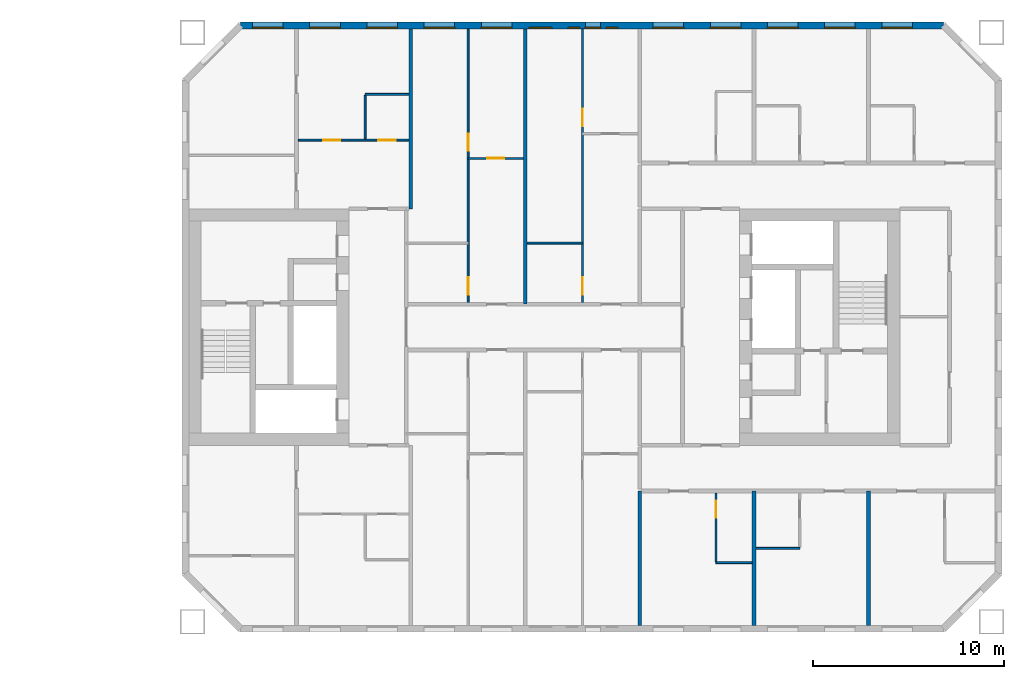
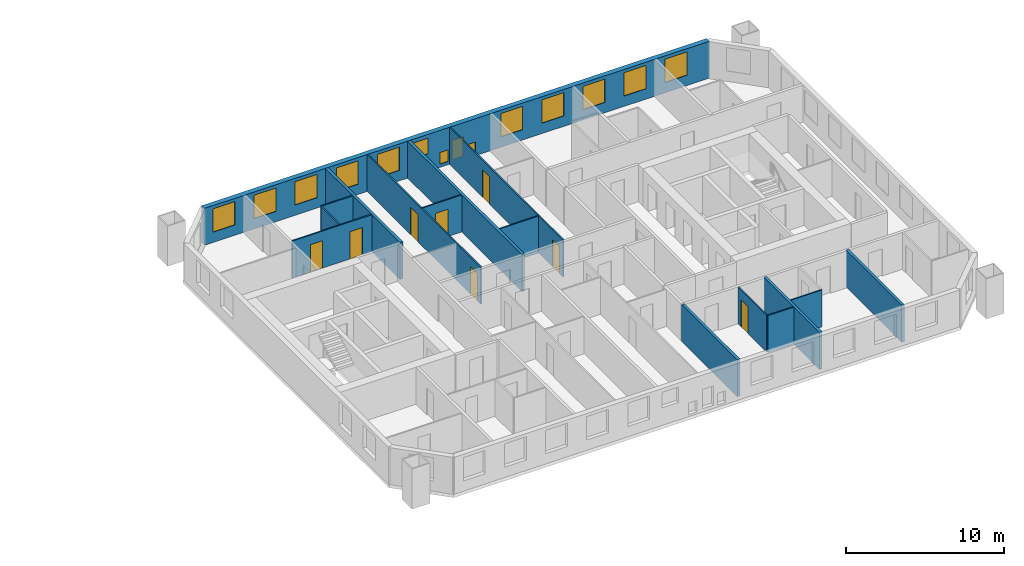
# One storey, part 11 of 16: 16 walls, 14 windows, 8 doors, 22 openings.
"""IFC4 building model written with IfcOpenShell, lengths in metres."""

import ifcopenshell
import ifcopenshell.guid

model = None  # the IFC model being written
_history = None  # IfcOwnerHistory: only IFC2X3 demands one
_inside = {}  # id of a spatial element -> (the spatial element, [elements in it])
_under = {}  # id of a project, library or spatial element -> (it, [spatial elements below it])
_declared = {}  # id of a project -> (the project, [libraries it declares])
_typed = {}  # id of a type object -> (the type object, [elements of that type])
_made_of = {}  # id of a material, layer set ... -> (it, [elements and type objects made of it])


def new_model(schema):
    """Start an empty IFC model of exactly this schema.

    Asked for "IFC4X3", IfcOpenShell would pick the latest addendum, in which some entities
    have other attributes; the version numbers below select the first issue.
    IFC2X3 requires an IfcOwnerHistory on every rooted entity: one is made here for all.
    """
    global model, _history
    if schema == "IFC4X3":
        model = ifcopenshell.file(schema_version=(4, 3, 0, 0))
    else:
        model = ifcopenshell.file(schema=schema)
    _inside.clear()
    _under.clear()
    _declared.clear()
    _typed.clear()
    _made_of.clear()
    _history = None
    if model.schema == "IFC2X3":
        org = make("IfcOrganization", Name="unknown")
        user = make(
            "IfcPersonAndOrganization",
            ThePerson=make("IfcPerson", FamilyName="unknown"),
            TheOrganization=org,
        )
        app = make(
            "IfcApplication",
            ApplicationDeveloper=org,
            Version="unknown",
            ApplicationFullName="unknown",
            ApplicationIdentifier="unknown",
        )
        _history = make(
            "IfcOwnerHistory",
            OwningUser=user,
            OwningApplication=app,
            ChangeAction="ADDED",
            CreationDate=0,
        )
    return model


def make(cls, **values):
    """One entity of the class cls with the attributes given. An attribute that is None is left unset."""
    return model.create_entity(
        cls, **{name: value for name, value in values.items() if value is not None}
    )


def rooted(cls, **values):
    """An entity with a GlobalId (a new one), such as an element, a storey or a relation."""
    return make(cls, GlobalId=ifcopenshell.guid.new(), OwnerHistory=_history, **values)


def si_unit(unit_type, name, prefix=None):
    """IfcSIUnit, for example si_unit("LENGTHUNIT", "METRE", prefix="MILLI")."""
    return make("IfcSIUnit", UnitType=unit_type, Prefix=prefix, Name=name)


def assignment(units):
    """IfcUnitAssignment: the units of a project."""
    return None if units is None else make("IfcUnitAssignment", Units=units)


def point(xyz):
    """IfcCartesianPoint."""
    return None if xyz is None else make("IfcCartesianPoint", Coordinates=xyz)


def direction(xyz):
    """IfcDirection."""
    return None if xyz is None else make("IfcDirection", DirectionRatios=xyz)


def frame(location, z_axis=None, x_axis=None):
    """IfcAxis2Placement3D, a coordinate frame: its origin and axes. An axis left out is left unset."""
    return make(
        "IfcAxis2Placement3D",
        Location=point(location),
        Axis=direction(z_axis),
        RefDirection=direction(x_axis),
    )


def frame_2d(location, x_axis=None):
    """IfcAxis2Placement2D, a coordinate frame in the plane: its origin and x axis."""
    return make(
        "IfcAxis2Placement2D", Location=point(location), RefDirection=direction(x_axis)
    )


def origin():
    """The frame at (0, 0, 0) with its axes left unset."""
    return frame((0.0, 0.0, 0.0))


def place(relative_to, where):
    """IfcLocalPlacement: puts the frame where relative to a parent placement (None: the world)."""
    return make(
        "IfcLocalPlacement", PlacementRelTo=relative_to, RelativePlacement=where
    )


def context(
    kind, dimensions, precision=None, world=None, true_north=None, identifier=None
):
    """IfcGeometricRepresentationContext, for example the 3D "Model" context."""
    return make(
        "IfcGeometricRepresentationContext",
        ContextIdentifier=identifier,
        ContextType=kind,
        CoordinateSpaceDimension=dimensions,
        Precision=precision,
        WorldCoordinateSystem=world,
        TrueNorth=true_north,
    )


def subcontext(parent, identifier, kind, view, scale=None):
    """IfcGeometricRepresentationSubContext, for example "Body" below "Model"."""
    return make(
        "IfcGeometricRepresentationSubContext",
        ContextIdentifier=identifier,
        ContextType=kind,
        ParentContext=parent,
        TargetScale=scale,
        TargetView=view,
    )


def project(units=None, contexts=None):
    """IfcProject with its units and contexts."""
    return rooted(
        "IfcProject",
        Name="project",
        RepresentationContexts=contexts,
        UnitsInContext=assignment(units),
    )


def spatial(cls, under=None, at=None, **own):
    """A site, building, storey or space (cls), placed at a placement, below another one or the project."""
    s = rooted(cls, ObjectPlacement=at, **own)
    if under is not None:
        _under.setdefault(under.id(), (under, []))[1].append(s)
    return s


def profile(cls, at=None, kind="AREA", **sizes):
    """A parametric profile (cls). Its sizes go by their IFC names, for example OverallWidth=200.0."""
    return make(cls, ProfileType=kind, Position=at, **sizes)


def rectangle(**sizes):
    """IfcRectangleProfileDef."""
    return profile("IfcRectangleProfileDef", **sizes)


def extrude(swept, where, along, depth):
    """IfcExtrudedAreaSolid: the profile swept, set in the frame where, extruded along a direction by depth."""
    return make(
        "IfcExtrudedAreaSolid",
        SweptArea=swept,
        Position=where,
        ExtrudedDirection=direction(along),
        Depth=depth,
    )


def shape(context_of_items, identifier, shape_type, items):
    """IfcShapeRepresentation: the items that make up one representation, for example the "Body"."""
    return make(
        "IfcShapeRepresentation",
        ContextOfItems=context_of_items,
        RepresentationIdentifier=identifier,
        RepresentationType=shape_type,
        Items=items,
    )


def material(Name=None, Category=None):
    """IfcMaterial."""
    return make("IfcMaterial", Name=Name, Category=Category)


def layer(
    of_material, thickness, ventilated=None, Name=None, Category=None, Priority=None
):
    """IfcMaterialLayer: one layer of a wall or slab, of a material (None: an air gap)."""
    return make(
        "IfcMaterialLayer",
        Material=of_material,
        LayerThickness=thickness,
        IsVentilated=ventilated,
        Name=Name,
        Category=Category,
        Priority=Priority,
    )


def layer_set(layers, Name=None):
    """IfcMaterialLayerSet."""
    return make("IfcMaterialLayerSet", MaterialLayers=layers, LayerSetName=Name)


def made_of(thing, what):
    """Note that an element or type object is made of a material, layer set ...; save() writes the relation."""
    if what is not None:
        _made_of.setdefault(what.id(), (what, []))[1].append(thing)
    return thing


def type_object(cls, material=None, **own):
    """A type object (cls), such as IfcWallType, which elements share."""
    return made_of(rooted(cls, **own), material)


def element(
    cls,
    number,
    at=None,
    inside=None,
    cuts=None,
    type_object=None,
    material=None,
    context=None,
    identifier="Body",
    shape_type=None,
    held_by="IfcProductDefinitionShape",
    body=None,
    shapes=None,
    **own,
):
    """One element of the class cls, such as IfcWall. Its Tag is "e" and its number.

    at: its placement. inside: the storey or other place that contains it. cuts: it is an
    opening in that element (IfcRelVoidsElement). A single representation is given by context,
    identifier, shape_type and body (its items); several are given by shapes. held_by: the class
    of the entity that holds the representations. save() writes the other relations.
    """
    e = rooted(cls, Tag="e%d" % number, ObjectPlacement=at, **own)
    if body is not None:
        shapes = [shape(context, identifier, shape_type, body)]
    if shapes is not None:
        e.Representation = make(held_by, Representations=shapes)
    if inside is not None:
        _inside.setdefault(inside.id(), (inside, []))[1].append(e)
    if cuts is not None:
        rooted(
            "IfcRelVoidsElement", RelatingBuildingElement=cuts, RelatedOpeningElement=e
        )
    if type_object is not None:
        _typed.setdefault(type_object.id(), (type_object, []))[1].append(e)
    return made_of(e, material)


def fill(opening, filler):
    """IfcRelFillsElement: the door or window that sits in an opening."""
    return rooted(
        "IfcRelFillsElement",
        RelatingOpeningElement=opening,
        RelatedBuildingElement=filler,
    )


def aggregate(whole, parts):
    """IfcRelAggregates: a whole, such as a stair, and the parts it consists of."""
    return rooted("IfcRelAggregates", RelatingObject=whole, RelatedObjects=parts)


def save(model, path):
    """Write the relations noted so far, then the file.

    IfcRelAggregates (storeys below a building ...), IfcRelContainedInSpatialStructure (elements
    in a storey), IfcRelDefinesByType, IfcRelAssociatesMaterial and IfcRelDeclares: one each for
    every whole, place, type object, material and project.
    """
    for whole, parts in _under.values():
        aggregate(whole, parts)
    for where, things in _inside.values():
        rooted(
            "IfcRelContainedInSpatialStructure",
            RelatedElements=things,
            RelatingStructure=where,
        )
    for kind, things in _typed.values():
        rooted("IfcRelDefinesByType", RelatedObjects=things, RelatingType=kind)
    for what, things in _made_of.values():
        rooted("IfcRelAssociatesMaterial", RelatedObjects=things, RelatingMaterial=what)
    for by, libraries in _declared.values():
        rooted("IfcRelDeclares", RelatingContext=by, RelatedDefinitions=libraries)
    model.write(path)


model = new_model("IFC4")

# Units and contexts
model_context = context("Model", 3, precision=1e-05, world=origin(), true_north=direction((0.0, 1.0)))
body_context = subcontext(model_context, "Body", "Model", "MODEL_VIEW")
ifc_project = project(units=[si_unit("LENGTHUNIT", "METRE"), si_unit("AREAUNIT", "SQUARE_METRE"), si_unit("VOLUMEUNIT", "CUBIC_METRE"), si_unit("PLANEANGLEUNIT", "RADIAN"), si_unit("MASSUNIT", "GRAM", prefix="KILO")], contexts=[model_context])

# Site, building, storey
site_placement = place(None, origin())
site = spatial("IfcSite", under=ifc_project, at=site_placement, CompositionType="ELEMENT")
building_placement = place(site_placement, origin())
building = spatial("IfcBuilding", under=site, at=building_placement, Name="Tuart Gate Housing", CompositionType="ELEMENT")
storey_placement = place(building_placement, frame((0.0, 0.0, 111.89990234375)))
storey = spatial("IfcBuildingStorey", under=building, at=storey_placement, Name="L31", CompositionType="ELEMENT", Elevation=111.89990234375)

# Wall, openings, windows
ifc_material_1 = material(Name="Brick", Category="masonry")
ifc_layer_1 = layer(ifc_material_1, 0.360107421875)
ifc_layer_set_1 = layer_set([ifc_layer_1], Name="Brick pier and spandrel wall 360")
wall_type_1 = type_object("IfcWallType", Name="Brick pier and spandrel wall 360", PredefinedType="STANDARD", material=ifc_layer_set_1)
wall_1_placement = place(storey_placement, frame((170.92529296875, 85.820068359375, 0.0), z_axis=(0.0, 0.0, 1.0), x_axis=(-1.0, 0.0, 0.0)))
wall_1 = element("IfcWall", 1, at=wall_1_placement, inside=storey, type_object=wall_type_1, Name="External wall B-N L31", PredefinedType="STANDARD", context=body_context, shape_type="SweptSolid", body=[
    extrude(rectangle(XDim=36.850830078125, YDim=0.360107421875, at=frame_2d((18.42529296875, 0.0))), origin(), (0.0, 0.0, 1.0), 2.85009765625),
])
opening_1_placement = place(wall_1_placement, frame((1.62548828125, 0.0, 0.800048828125)))
opening_1 = element("IfcOpeningElement", 2, at=opening_1_placement, cuts=wall_1, Name="Opening W1", PredefinedType="OPENING", context=body_context, shape_type="SweptSolid", body=[
    extrude(rectangle(XDim=1.60009765625, YDim=1.800048828125, at=frame_2d((0.800048828125, 0.89990234375))), frame((0.0, 0.18994140625, 0.0), z_axis=(0.0, -1.0, 0.0), x_axis=(1.0, 0.0, 0.0)), (0.0, 0.0, 1.0), 0.380126953125),
])
opening_2_placement = place(wall_1_placement, frame((4.62548828125, 0.0, 0.800048828125)))
opening_2 = element("IfcOpeningElement", 3, at=opening_2_placement, cuts=wall_1, Name="Opening W1", PredefinedType="OPENING", context=body_context, shape_type="SweptSolid", body=[
    extrude(rectangle(XDim=1.60009765625, YDim=1.800048828125, at=frame_2d((0.800048828125, 0.89990234375))), frame((0.0, 0.18994140625, 0.0), z_axis=(0.0, -1.0, 0.0), x_axis=(1.0, 0.0, 0.0)), (0.0, 0.0, 1.0), 0.380126953125),
])
opening_3_placement = place(wall_1_placement, frame((7.62548828125, 0.0, 0.800048828125)))
opening_3 = element("IfcOpeningElement", 4, at=opening_3_placement, cuts=wall_1, Name="Opening W1", PredefinedType="OPENING", context=body_context, shape_type="SweptSolid", body=[
    extrude(rectangle(XDim=1.60009765625, YDim=1.800048828125, at=frame_2d((0.800048828125, 0.89990234375))), frame((0.0, 0.18994140625, 0.0), z_axis=(0.0, -1.0, 0.0), x_axis=(1.0, 0.0, 0.0)), (0.0, 0.0, 1.0), 0.380126953125),
])
opening_4_placement = place(wall_1_placement, frame((10.62548828125, 0.0, 0.800048828125)))
opening_4 = element("IfcOpeningElement", 5, at=opening_4_placement, cuts=wall_1, Name="Opening W1", PredefinedType="OPENING", context=body_context, shape_type="SweptSolid", body=[
    extrude(rectangle(XDim=1.60009765625, YDim=1.800048828125, at=frame_2d((0.800048828125, 0.89990234375))), frame((0.0, 0.18994140625, 0.0), z_axis=(0.0, -1.0, 0.0), x_axis=(1.0, 0.0, 0.0)), (0.0, 0.0, 1.0), 0.380126953125),
])
opening_5_placement = place(wall_1_placement, frame((13.62548828125, 0.0, 0.800048828125)))
opening_5 = element("IfcOpeningElement", 6, at=opening_5_placement, cuts=wall_1, Name="Opening W1", PredefinedType="OPENING", context=body_context, shape_type="SweptSolid", body=[
    extrude(rectangle(XDim=1.60009765625, YDim=1.800048828125, at=frame_2d((0.800048828125, 0.89990234375))), frame((0.0, 0.18994140625, 0.0), z_axis=(0.0, -1.0, 0.0), x_axis=(1.0, 0.0, 0.0)), (0.0, 0.0, 1.0), 0.380126953125),
])
opening_6_placement = place(wall_1_placement, frame((17.075439453125, 0.0, 0.14990234375)))
opening_6 = element("IfcOpeningElement", 7, at=opening_6_placement, cuts=wall_1, Name="Opening W1W", PredefinedType="OPENING", context=body_context, shape_type="SweptSolid", body=[
    extrude(rectangle(XDim=0.60009765625, YDim=0.89990234375, at=frame_2d((0.300048828125, 0.449951171875))), frame((0.0, 0.18994140625, 0.0), z_axis=(0.0, -1.0, 0.0), x_axis=(1.0, 0.0, 0.0)), (0.0, 0.0, 1.0), 0.380126953125),
])
opening_7_placement = place(wall_1_placement, frame((19.075439453125, 0.0, 0.25)))
opening_7 = element("IfcOpeningElement", 8, at=opening_7_placement, cuts=wall_1, Name="Opening W1W", PredefinedType="OPENING", context=body_context, shape_type="SweptSolid", body=[
    extrude(rectangle(XDim=0.60009765625, YDim=0.89990234375, at=frame_2d((0.300048828125, 0.449951171875))), frame((0.0, 0.18994140625, 0.0), z_axis=(0.0, -1.0, 0.0), x_axis=(1.0, 0.0, 0.0)), (0.0, 0.0, 1.0), 0.380126953125),
])
opening_8_placement = place(wall_1_placement, frame((22.62548828125, 0.0, 0.800048828125)))
opening_8 = element("IfcOpeningElement", 9, at=opening_8_placement, cuts=wall_1, Name="Opening W1", PredefinedType="OPENING", context=body_context, shape_type="SweptSolid", body=[
    extrude(rectangle(XDim=1.60009765625, YDim=1.800048828125, at=frame_2d((0.800048828125, 0.89990234375))), frame((0.0, 0.18994140625, 0.0), z_axis=(0.0, -1.0, 0.0), x_axis=(1.0, 0.0, 0.0)), (0.0, 0.0, 1.0), 0.380126953125),
])
opening_9_placement = place(wall_1_placement, frame((25.62548828125, 0.0, 0.800048828125)))
opening_9 = element("IfcOpeningElement", 10, at=opening_9_placement, cuts=wall_1, Name="Opening W1", PredefinedType="OPENING", context=body_context, shape_type="SweptSolid", body=[
    extrude(rectangle(XDim=1.60009765625, YDim=1.800048828125, at=frame_2d((0.800048828125, 0.89990234375))), frame((0.0, 0.18994140625, 0.0), z_axis=(0.0, -1.0, 0.0), x_axis=(1.0, 0.0, 0.0)), (0.0, 0.0, 1.0), 0.380126953125),
])
opening_10_placement = place(wall_1_placement, frame((28.62548828125, 0.0, 0.800048828125)))
opening_10 = element("IfcOpeningElement", 11, at=opening_10_placement, cuts=wall_1, Name="Opening W1", PredefinedType="OPENING", context=body_context, shape_type="SweptSolid", body=[
    extrude(rectangle(XDim=1.60009765625, YDim=1.800048828125, at=frame_2d((0.800048828125, 0.89990234375))), frame((0.0, 0.18994140625, 0.0), z_axis=(0.0, -1.0, 0.0), x_axis=(1.0, 0.0, 0.0)), (0.0, 0.0, 1.0), 0.380126953125),
])
opening_11_placement = place(wall_1_placement, frame((31.62548828125, 0.0, 0.800048828125)))
opening_11 = element("IfcOpeningElement", 12, at=opening_11_placement, cuts=wall_1, Name="Opening W1", PredefinedType="OPENING", context=body_context, shape_type="SweptSolid", body=[
    extrude(rectangle(XDim=1.60009765625, YDim=1.800048828125, at=frame_2d((0.800048828125, 0.89990234375))), frame((0.0, 0.18994140625, 0.0), z_axis=(0.0, -1.0, 0.0), x_axis=(1.0, 0.0, 0.0)), (0.0, 0.0, 1.0), 0.380126953125),
])
opening_12_placement = place(wall_1_placement, frame((34.62548828125, 0.0, 0.800048828125)))
opening_12 = element("IfcOpeningElement", 13, at=opening_12_placement, cuts=wall_1, Name="Opening W1", PredefinedType="OPENING", context=body_context, shape_type="SweptSolid", body=[
    extrude(rectangle(XDim=1.60009765625, YDim=1.800048828125, at=frame_2d((0.800048828125, 0.89990234375))), frame((0.0, 0.18994140625, 0.0), z_axis=(0.0, -1.0, 0.0), x_axis=(1.0, 0.0, 0.0)), (0.0, 0.0, 1.0), 0.380126953125),
])
opening_13_placement = place(wall_1_placement, frame((17.975341796875, 0.0, 0.25)))
opening_13 = element("IfcOpeningElement", 14, at=opening_13_placement, cuts=wall_1, Name="Opening W1J", PredefinedType="OPENING", context=body_context, shape_type="SweptSolid", body=[
    extrude(rectangle(XDim=0.800048828125, YDim=1.5, at=frame_2d((0.39990234375, 0.75))), frame((0.0, 0.18994140625, 0.0), z_axis=(0.0, -1.0, 0.0), x_axis=(1.0, 0.0, 0.0)), (0.0, 0.0, 1.0), 0.380126953125),
])
opening_14_placement = place(wall_1_placement, frame((20.525390625, 0.0, 1.35009765625)))
opening_14 = element("IfcOpeningElement", 15, at=opening_14_placement, cuts=wall_1, Name="Opening W1N", PredefinedType="OPENING", context=body_context, shape_type="SweptSolid", body=[
    extrude(rectangle(XDim=1.199951171875, YDim=1.199951171875, at=frame_2d((0.60009765625, 0.60009765625))), frame((0.0, 0.18994140625, 0.0), z_axis=(0.0, -1.0, 0.0), x_axis=(1.0, 0.0, 0.0)), (0.0, 0.0, 1.0), 0.380126953125),
])
ifc_material_2 = material(Name="Aluminium frame with clear glass", Category="aluminium")
window_type_1 = type_object("IfcWindowType", Name="Punched window 1200 x 1200", PartitioningType="SINGLE_PANEL", PredefinedType="WINDOW", material=ifc_material_2)
window_1_placement = place(opening_14_placement, origin())
window_1 = element("IfcWindow", 16, at=window_1_placement, inside=storey, type_object=window_type_1, Name="Window W1N", OverallHeight=1.199951171875, OverallWidth=1.199951171875, PartitioningType="SINGLE_PANEL", PredefinedType="WINDOW", context=body_context, shape_type="SweptSolid", body=[
    extrude(rectangle(XDim=1.199951171875, YDim=1.199951171875, at=frame_2d((0.60009765625, 0.60009765625))), frame((0.0, 0.150146484375, 0.0), z_axis=(0.0, -1.0, 0.0), x_axis=(1.0, 0.0, 0.0)), (0.0, 0.0, 1.0), 0.06005859375),
])
fill(opening_14, window_1)
ifc_material_3 = material(Name="Aluminium frame with clear glass", Category="aluminium")
window_type_2 = type_object("IfcWindowType", Name="Punched window 1600 x 1800", PartitioningType="SINGLE_PANEL", PredefinedType="WINDOW", material=ifc_material_3)
window_2_placement = place(opening_1_placement, origin())
window_2 = element("IfcWindow", 17, at=window_2_placement, inside=storey, type_object=window_type_2, Name="Window W1", OverallHeight=1.800048828125, OverallWidth=1.60009765625, PartitioningType="SINGLE_PANEL", PredefinedType="WINDOW", context=body_context, shape_type="SweptSolid", body=[
    extrude(rectangle(XDim=1.60009765625, YDim=1.800048828125, at=frame_2d((0.800048828125, 0.89990234375))), frame((0.0, 0.150146484375, 0.0), z_axis=(0.0, -1.0, 0.0), x_axis=(1.0, 0.0, 0.0)), (0.0, 0.0, 1.0), 0.06005859375),
])
fill(opening_1, window_2)
window_3_placement = place(opening_2_placement, origin())
window_3 = element("IfcWindow", 18, at=window_3_placement, inside=storey, type_object=window_type_2, Name="Window W1", OverallHeight=1.800048828125, OverallWidth=1.60009765625, PartitioningType="SINGLE_PANEL", PredefinedType="WINDOW", context=body_context, shape_type="SweptSolid", body=[
    extrude(rectangle(XDim=1.60009765625, YDim=1.800048828125, at=frame_2d((0.800048828125, 0.89990234375))), frame((0.0, 0.150146484375, 0.0), z_axis=(0.0, -1.0, 0.0), x_axis=(1.0, 0.0, 0.0)), (0.0, 0.0, 1.0), 0.06005859375),
])
fill(opening_2, window_3)
window_4_placement = place(opening_3_placement, origin())
window_4 = element("IfcWindow", 19, at=window_4_placement, inside=storey, type_object=window_type_2, Name="Window W1", OverallHeight=1.800048828125, OverallWidth=1.60009765625, PartitioningType="SINGLE_PANEL", PredefinedType="WINDOW", context=body_context, shape_type="SweptSolid", body=[
    extrude(rectangle(XDim=1.60009765625, YDim=1.800048828125, at=frame_2d((0.800048828125, 0.89990234375))), frame((0.0, 0.150146484375, 0.0), z_axis=(0.0, -1.0, 0.0), x_axis=(1.0, 0.0, 0.0)), (0.0, 0.0, 1.0), 0.06005859375),
])
fill(opening_3, window_4)
window_5_placement = place(opening_4_placement, origin())
window_5 = element("IfcWindow", 20, at=window_5_placement, inside=storey, type_object=window_type_2, Name="Window W1", OverallHeight=1.800048828125, OverallWidth=1.60009765625, PartitioningType="SINGLE_PANEL", PredefinedType="WINDOW", context=body_context, shape_type="SweptSolid", body=[
    extrude(rectangle(XDim=1.60009765625, YDim=1.800048828125, at=frame_2d((0.800048828125, 0.89990234375))), frame((0.0, 0.150146484375, 0.0), z_axis=(0.0, -1.0, 0.0), x_axis=(1.0, 0.0, 0.0)), (0.0, 0.0, 1.0), 0.06005859375),
])
fill(opening_4, window_5)
window_6_placement = place(opening_5_placement, origin())
window_6 = element("IfcWindow", 21, at=window_6_placement, inside=storey, type_object=window_type_2, Name="Window W1", OverallHeight=1.800048828125, OverallWidth=1.60009765625, PartitioningType="SINGLE_PANEL", PredefinedType="WINDOW", context=body_context, shape_type="SweptSolid", body=[
    extrude(rectangle(XDim=1.60009765625, YDim=1.800048828125, at=frame_2d((0.800048828125, 0.89990234375))), frame((0.0, 0.150146484375, 0.0), z_axis=(0.0, -1.0, 0.0), x_axis=(1.0, 0.0, 0.0)), (0.0, 0.0, 1.0), 0.06005859375),
])
fill(opening_5, window_6)
window_7_placement = place(opening_8_placement, origin())
window_7 = element("IfcWindow", 22, at=window_7_placement, inside=storey, type_object=window_type_2, Name="Window W1", OverallHeight=1.800048828125, OverallWidth=1.60009765625, PartitioningType="SINGLE_PANEL", PredefinedType="WINDOW", context=body_context, shape_type="SweptSolid", body=[
    extrude(rectangle(XDim=1.60009765625, YDim=1.800048828125, at=frame_2d((0.800048828125, 0.89990234375))), frame((0.0, 0.150146484375, 0.0), z_axis=(0.0, -1.0, 0.0), x_axis=(1.0, 0.0, 0.0)), (0.0, 0.0, 1.0), 0.06005859375),
])
fill(opening_8, window_7)
window_8_placement = place(opening_9_placement, origin())
window_8 = element("IfcWindow", 23, at=window_8_placement, inside=storey, type_object=window_type_2, Name="Window W1", OverallHeight=1.800048828125, OverallWidth=1.60009765625, PartitioningType="SINGLE_PANEL", PredefinedType="WINDOW", context=body_context, shape_type="SweptSolid", body=[
    extrude(rectangle(XDim=1.60009765625, YDim=1.800048828125, at=frame_2d((0.800048828125, 0.89990234375))), frame((0.0, 0.150146484375, 0.0), z_axis=(0.0, -1.0, 0.0), x_axis=(1.0, 0.0, 0.0)), (0.0, 0.0, 1.0), 0.06005859375),
])
fill(opening_9, window_8)
window_9_placement = place(opening_10_placement, origin())
window_9 = element("IfcWindow", 24, at=window_9_placement, inside=storey, type_object=window_type_2, Name="Window W1", OverallHeight=1.800048828125, OverallWidth=1.60009765625, PartitioningType="SINGLE_PANEL", PredefinedType="WINDOW", context=body_context, shape_type="SweptSolid", body=[
    extrude(rectangle(XDim=1.60009765625, YDim=1.800048828125, at=frame_2d((0.800048828125, 0.89990234375))), frame((0.0, 0.150146484375, 0.0), z_axis=(0.0, -1.0, 0.0), x_axis=(1.0, 0.0, 0.0)), (0.0, 0.0, 1.0), 0.06005859375),
])
fill(opening_10, window_9)
window_10_placement = place(opening_11_placement, origin())
window_10 = element("IfcWindow", 25, at=window_10_placement, inside=storey, type_object=window_type_2, Name="Window W1", OverallHeight=1.800048828125, OverallWidth=1.60009765625, PartitioningType="SINGLE_PANEL", PredefinedType="WINDOW", context=body_context, shape_type="SweptSolid", body=[
    extrude(rectangle(XDim=1.60009765625, YDim=1.800048828125, at=frame_2d((0.800048828125, 0.89990234375))), frame((0.0, 0.150146484375, 0.0), z_axis=(0.0, -1.0, 0.0), x_axis=(1.0, 0.0, 0.0)), (0.0, 0.0, 1.0), 0.06005859375),
])
fill(opening_11, window_10)
window_11_placement = place(opening_12_placement, origin())
window_11 = element("IfcWindow", 26, at=window_11_placement, inside=storey, type_object=window_type_2, Name="Window W1", OverallHeight=1.800048828125, OverallWidth=1.60009765625, PartitioningType="SINGLE_PANEL", PredefinedType="WINDOW", context=body_context, shape_type="SweptSolid", body=[
    extrude(rectangle(XDim=1.60009765625, YDim=1.800048828125, at=frame_2d((0.800048828125, 0.89990234375))), frame((0.0, 0.150146484375, 0.0), z_axis=(0.0, -1.0, 0.0), x_axis=(1.0, 0.0, 0.0)), (0.0, 0.0, 1.0), 0.06005859375),
])
fill(opening_12, window_11)
ifc_material_4 = material(Name="Aluminium frame with clear glass", Category="aluminium")
window_type_3 = type_object("IfcWindowType", Name="Punched window 600 x 900", PartitioningType="SINGLE_PANEL", PredefinedType="WINDOW", material=ifc_material_4)
window_12_placement = place(opening_6_placement, origin())
window_12 = element("IfcWindow", 27, at=window_12_placement, inside=storey, type_object=window_type_3, Name="Window W1W", OverallHeight=0.89990234375, OverallWidth=0.60009765625, PartitioningType="SINGLE_PANEL", PredefinedType="WINDOW", context=body_context, shape_type="SweptSolid", body=[
    extrude(rectangle(XDim=0.60009765625, YDim=0.89990234375, at=frame_2d((0.300048828125, 0.449951171875))), frame((0.0, 0.150146484375, 0.0), z_axis=(0.0, -1.0, 0.0), x_axis=(1.0, 0.0, 0.0)), (0.0, 0.0, 1.0), 0.06005859375),
])
fill(opening_6, window_12)
window_13_placement = place(opening_7_placement, origin())
window_13 = element("IfcWindow", 28, at=window_13_placement, inside=storey, type_object=window_type_3, Name="Window W1W", OverallHeight=0.89990234375, OverallWidth=0.60009765625, PartitioningType="SINGLE_PANEL", PredefinedType="WINDOW", context=body_context, shape_type="SweptSolid", body=[
    extrude(rectangle(XDim=0.60009765625, YDim=0.89990234375, at=frame_2d((0.300048828125, 0.449951171875))), frame((0.0, 0.150146484375, 0.0), z_axis=(0.0, -1.0, 0.0), x_axis=(1.0, 0.0, 0.0)), (0.0, 0.0, 1.0), 0.06005859375),
])
fill(opening_7, window_13)
ifc_material_5 = material(Name="Aluminium frame with clear glass", Category="aluminium")
window_type_4 = type_object("IfcWindowType", Name="Punched window 800 x 1500", PartitioningType="SINGLE_PANEL", PredefinedType="WINDOW", material=ifc_material_5)
window_14_placement = place(opening_13_placement, origin())
window_14 = element("IfcWindow", 29, at=window_14_placement, inside=storey, type_object=window_type_4, Name="Window W1J", OverallHeight=1.5, OverallWidth=0.800048828125, PartitioningType="SINGLE_PANEL", PredefinedType="WINDOW", context=body_context, shape_type="SweptSolid", body=[
    extrude(rectangle(XDim=0.800048828125, YDim=1.5, at=frame_2d((0.39990234375, 0.75))), frame((0.0, 0.150146484375, 0.0), z_axis=(0.0, -1.0, 0.0), x_axis=(1.0, 0.0, 0.0)), (0.0, 0.0, 1.0), 0.06005859375),
])
fill(opening_13, window_14)

# Walls
ifc_material_6 = material(Name="Gypsum board on steel studs", Category="steel")
ifc_layer_2 = layer(ifc_material_6, 0.10009765625)
ifc_layer_set_2 = layer_set([ifc_layer_2], Name="Partition 100")
wall_type_2 = type_object("IfcWallType", Name="Partition 100", PredefinedType="PARTITIONING", material=ifc_layer_set_2)
wall_2_placement = place(storey_placement, frame((159.0, 57.64990234375, 0.0), z_axis=(0.0, 0.0, 1.0), x_axis=(1.0, 0.0, 0.0)))
element("IfcWall", 30, at=wall_2_placement, inside=storey, type_object=wall_type_2, Name="Partition 100", PredefinedType="PARTITIONING", context=body_context, shape_type="SweptSolid", body=[
    extrude(rectangle(XDim=1.89990234375, YDim=0.10009765625, at=frame_2d((0.949951171875, 0.0))), origin(), (0.0, 0.0, 1.0), 2.85009765625),
])
wall_3_placement = place(storey_placement, frame((161.10009765625, 58.39990234375, 0.0), z_axis=(0.0, 0.0, 1.0), x_axis=(1.0, 0.0, 0.0)))
element("IfcWall", 31, at=wall_3_placement, inside=storey, type_object=wall_type_2, Name="Partition 100", PredefinedType="PARTITIONING", context=body_context, shape_type="SweptSolid", body=[
    extrude(rectangle(XDim=2.2998046875, YDim=0.10009765625, at=frame_2d((1.14990234375, 0.0))), origin(), (0.0, 0.0, 1.0), 2.85009765625),
])
wall_4_placement = place(storey_placement, frame((149.10009765625, 74.39990234375, 0.0), z_axis=(0.0, 0.0, 1.0), x_axis=(1.0, 0.0, 0.0)))
element("IfcWall", 32, at=wall_4_placement, inside=storey, type_object=wall_type_2, Name="Partition 100", PredefinedType="PARTITIONING", context=body_context, shape_type="SweptSolid", body=[
    extrude(rectangle(XDim=2.89990234375, YDim=0.10009765625, at=frame_2d((1.449951171875, 0.0))), origin(), (0.0, 0.0, 1.0), 2.85009765625),
])

# Wall, opening, door
wall_5_placement = place(storey_placement, frame((146.0, 78.840087890625, 0.0), z_axis=(0.0, 0.0, 1.0), x_axis=(1.0, 0.0, 0.0)))
wall_5 = element("IfcWall", 33, at=wall_5_placement, inside=storey, type_object=wall_type_2, Name="Partition 100", PredefinedType="PARTITIONING", context=body_context, shape_type="SweptSolid", body=[
    extrude(rectangle(XDim=2.89990234375, YDim=0.10009765625, at=frame_2d((1.449951171875, 0.0))), origin(), (0.0, 0.0, 1.0), 2.85009765625),
])
opening_15_placement = place(wall_5_placement, frame((1.0, 0.0, 0.0)))
opening_15 = element("IfcOpeningElement", 34, at=opening_15_placement, cuts=wall_5, Name="Opening D1245", PredefinedType="OPENING", context=body_context, shape_type="SweptSolid", body=[
    extrude(rectangle(XDim=0.89990234375, YDim=2.10009765625, at=frame_2d((0.449951171875, 1.050048828125))), frame((0.0, 0.06005859375, 0.0), z_axis=(0.0, -1.0, 0.0), x_axis=(1.0, 0.0, 0.0)), (0.0, 0.0, 1.0), 0.1201171875),
])
ifc_material_7 = material(Name="Timber door leaf in steel frame", Category="steel")
door_type_1 = type_object("IfcDoorType", Name="Internal door 900 RH", OperationType="SINGLE_SWING_RIGHT", PredefinedType="DOOR", material=ifc_material_7)
door_1_placement = place(opening_15_placement, frame((0.89990234375, 0.0, 0.0), z_axis=(0.0, 0.0, 1.0), x_axis=(-1.0, 0.0, 0.0)))
door_1 = element("IfcDoor", 35, at=door_1_placement, inside=storey, type_object=door_type_1, Name="Internal door", OperationType="SINGLE_SWING_RIGHT", OverallHeight=2.10009765625, OverallWidth=0.89990234375, PredefinedType="DOOR", context=body_context, shape_type="SweptSolid", body=[
    extrude(rectangle(XDim=0.89990234375, YDim=2.10009765625, at=frame_2d((0.449951171875, 1.050048828125))), frame((0.0, 0.025146484375, 0.0), z_axis=(0.0, -1.0, 0.0), x_axis=(1.0, 0.0, 0.0)), (0.0, 0.0, 1.0), 0.050048828125),
])
fill(opening_15, door_1)

# Wall, openings, doors
wall_6_placement = place(storey_placement, frame((137.10009765625, 79.800048828125, 0.0), z_axis=(0.0, 0.0, 1.0), x_axis=(1.0, 0.0, 0.0)))
wall_6 = element("IfcWall", 36, at=wall_6_placement, inside=storey, type_object=wall_type_2, Name="Partition 100", PredefinedType="PARTITIONING", context=body_context, shape_type="SweptSolid", body=[
    extrude(rectangle(XDim=5.7998046875, YDim=0.10009765625, at=frame_2d((2.89990234375, 0.0))), origin(), (0.0, 0.0, 1.0), 2.85009765625),
])
opening_16_placement = place(wall_6_placement, frame((1.300048828125, 0.0, 0.0)))
opening_16 = element("IfcOpeningElement", 37, at=opening_16_placement, cuts=wall_6, Name="Opening D1244", PredefinedType="OPENING", context=body_context, shape_type="SweptSolid", body=[
    extrude(rectangle(XDim=0.89990234375, YDim=2.10009765625, at=frame_2d((0.449951171875, 1.050048828125))), frame((0.0, 0.06005859375, 0.0), z_axis=(0.0, -1.0, 0.0), x_axis=(1.0, 0.0, 0.0)), (0.0, 0.0, 1.0), 0.1201171875),
])
opening_17_placement = place(wall_6_placement, frame((4.199951171875, 0.0, 0.0)))
opening_17 = element("IfcOpeningElement", 38, at=opening_17_placement, cuts=wall_6, Name="Opening D1243", PredefinedType="OPENING", context=body_context, shape_type="SweptSolid", body=[
    extrude(rectangle(XDim=0.89990234375, YDim=2.10009765625, at=frame_2d((0.449951171875, 1.050048828125))), frame((0.0, 0.06005859375, 0.0), z_axis=(0.0, -1.0, 0.0), x_axis=(1.0, 0.0, 0.0)), (0.0, 0.0, 1.0), 0.1201171875),
])
ifc_material_8 = material(Name="Timber door leaf in steel frame", Category="steel")
door_type_2 = type_object("IfcDoorType", Name="Bathroom door 900", OperationType="SINGLE_SWING_LEFT", PredefinedType="DOOR", material=ifc_material_8)
door_2_placement = place(opening_17_placement, origin())
door_2 = element("IfcDoor", 39, at=door_2_placement, inside=storey, type_object=door_type_2, Name="Bathroom door", OperationType="SINGLE_SWING_LEFT", OverallHeight=2.10009765625, OverallWidth=0.89990234375, PredefinedType="DOOR", context=body_context, shape_type="SweptSolid", body=[
    extrude(rectangle(XDim=0.89990234375, YDim=2.10009765625, at=frame_2d((0.449951171875, 1.050048828125))), frame((0.0, 0.02490234375, 0.0), z_axis=(0.0, -1.0, 0.0), x_axis=(1.0, 0.0, 0.0)), (0.0, 0.0, 1.0), 0.050048828125),
])
fill(opening_17, door_2)
door_3_placement = place(opening_16_placement, frame((0.89990234375, 0.0, 0.0), z_axis=(0.0, 0.0, 1.0), x_axis=(-1.0, 0.0, 0.0)))
door_3 = element("IfcDoor", 40, at=door_3_placement, inside=storey, type_object=door_type_1, Name="Internal door", OperationType="SINGLE_SWING_RIGHT", OverallHeight=2.10009765625, OverallWidth=0.89990234375, PredefinedType="DOOR", context=body_context, shape_type="SweptSolid", body=[
    extrude(rectangle(XDim=0.89990234375, YDim=2.10009765625, at=frame_2d((0.449951171875, 1.050048828125))), frame((0.0, 0.025146484375, 0.0), z_axis=(0.0, -1.0, 0.0), x_axis=(1.0, 0.0, 0.0)), (0.0, 0.0, 1.0), 0.050048828125),
])
fill(opening_16, door_3)

# Walls
for number, where, z_axis, x_axis, name in (
    (41, (140.60009765625, 82.199951171875, 0.0), (0.0, 0.0, 1.0), (1.0, 0.0, 0.0), "Partition 100"),
    (42, (140.60009765625, 79.85009765625, 0.0), (0.0, 0.0, 1.0), (0.0, 1.0, 0.0), "Partition 100"),
):
    element("IfcWall", number, at=place(storey_placement, frame(where, z_axis=z_axis, x_axis=x_axis)), inside=storey, type_object=wall_type_2, Name=name, PredefinedType="PARTITIONING", context=body_context, shape_type="SweptSolid", body=[
        extrude(rectangle(XDim=2.2998046875, YDim=0.10009765625, at=frame_2d((1.14990234375, 0.0))), origin(), (0.0, 0.0, 1.0), 2.85009765625),
    ])

# Wall, openings, doors
wall_7_placement = place(storey_placement, frame((146.0, 71.300048828125, 0.0), z_axis=(0.0, 0.0, 1.0), x_axis=(0.0, 1.0, 0.0)))
wall_7 = element("IfcWall", 43, at=wall_7_placement, inside=storey, type_object=wall_type_2, Name="Partition 100", PredefinedType="PARTITIONING", context=body_context, shape_type="SweptSolid", body=[
    extrude(rectangle(XDim=14.33984375, YDim=0.10009765625, at=frame_2d((7.169921875, 0.0))), origin(), (0.0, 0.0, 1.0), 2.85009765625),
])
opening_18_placement = place(wall_7_placement, frame((7.93994140625, 0.0, 0.0)))
opening_18 = element("IfcOpeningElement", 44, at=opening_18_placement, cuts=wall_7, Name="Opening D1250", PredefinedType="OPENING", context=body_context, shape_type="SweptSolid", body=[
    extrude(rectangle(XDim=0.89990234375, YDim=2.10009765625, at=frame_2d((0.449951171875, 1.050048828125))), frame((0.0, 0.06005859375, 0.0), z_axis=(0.0, -1.0, 0.0), x_axis=(1.0, 0.0, 0.0)), (0.0, 0.0, 1.0), 0.1201171875),
])
opening_19_placement = place(wall_7_placement, frame((0.39990234375, 0.0, 0.0)))
opening_19 = element("IfcOpeningElement", 45, at=opening_19_placement, cuts=wall_7, Name="Opening D1249", PredefinedType="OPENING", context=body_context, shape_type="SweptSolid", body=[
    extrude(rectangle(XDim=0.89990234375, YDim=2.10009765625, at=frame_2d((0.449951171875, 1.050048828125))), frame((0.0, 0.06005859375, 0.0), z_axis=(0.0, -1.0, 0.0), x_axis=(1.0, 0.0, 0.0)), (0.0, 0.0, 1.0), 0.1201171875),
])
door_4_placement = place(opening_19_placement, origin())
door_4 = element("IfcDoor", 46, at=door_4_placement, inside=storey, type_object=door_type_2, Name="Bathroom door", OperationType="SINGLE_SWING_LEFT", OverallHeight=2.10009765625, OverallWidth=0.89990234375, PredefinedType="DOOR", context=body_context, shape_type="SweptSolid", body=[
    extrude(rectangle(XDim=0.89990234375, YDim=2.10009765625, at=frame_2d((0.449951171875, 1.050048828125))), frame((0.0, 0.02490234375, 0.0), z_axis=(0.0, -1.0, 0.0), x_axis=(1.0, 0.0, 0.0)), (0.0, 0.0, 1.0), 0.050048828125),
])
fill(opening_19, door_4)
ifc_material_9 = material(Name="Timber door leaf in steel frame", Category="steel")
door_type_3 = type_object("IfcDoorType", Name="Internal door 900", OperationType="SINGLE_SWING_LEFT", PredefinedType="DOOR", material=ifc_material_9)
door_5_placement = place(opening_18_placement, origin())
door_5 = element("IfcDoor", 47, at=door_5_placement, inside=storey, type_object=door_type_3, Name="Internal door", OperationType="SINGLE_SWING_LEFT", OverallHeight=2.10009765625, OverallWidth=0.89990234375, PredefinedType="DOOR", context=body_context, shape_type="SweptSolid", body=[
    extrude(rectangle(XDim=0.89990234375, YDim=2.10009765625, at=frame_2d((0.449951171875, 1.050048828125))), frame((0.0, 0.02490234375, 0.0), z_axis=(0.0, -1.0, 0.0), x_axis=(1.0, 0.0, 0.0)), (0.0, 0.0, 1.0), 0.050048828125),
])
fill(opening_18, door_5)

wall_8_placement = place(storey_placement, frame((152.0, 71.300048828125, 0.0), z_axis=(0.0, 0.0, 1.0), x_axis=(0.0, 1.0, 0.0)))
wall_8 = element("IfcWall", 48, at=wall_8_placement, inside=storey, type_object=wall_type_2, Name="Partition 100", PredefinedType="PARTITIONING", context=body_context, shape_type="SweptSolid", body=[
    extrude(rectangle(XDim=14.33984375, YDim=0.10009765625, at=frame_2d((7.169921875, 0.0))), origin(), (0.0, 0.0, 1.0), 2.85009765625),
])
opening_20_placement = place(wall_8_placement, frame((9.239990234375, 0.0, 0.0)))
opening_20 = element("IfcOpeningElement", 49, at=opening_20_placement, cuts=wall_8, Name="Opening D1252", PredefinedType="OPENING", context=body_context, shape_type="SweptSolid", body=[
    extrude(rectangle(XDim=0.89990234375, YDim=2.10009765625, at=frame_2d((0.449951171875, 1.050048828125))), frame((0.0, 0.06005859375, 0.0), z_axis=(0.0, -1.0, 0.0), x_axis=(1.0, 0.0, 0.0)), (0.0, 0.0, 1.0), 0.1201171875),
])
opening_21_placement = place(wall_8_placement, frame((0.39990234375, 0.0, 0.0)))
opening_21 = element("IfcOpeningElement", 50, at=opening_21_placement, cuts=wall_8, Name="Opening D1251", PredefinedType="OPENING", context=body_context, shape_type="SweptSolid", body=[
    extrude(rectangle(XDim=0.89990234375, YDim=2.10009765625, at=frame_2d((0.449951171875, 1.050048828125))), frame((0.0, 0.06005859375, 0.0), z_axis=(0.0, -1.0, 0.0), x_axis=(1.0, 0.0, 0.0)), (0.0, 0.0, 1.0), 0.1201171875),
])
door_6_placement = place(opening_21_placement, origin())
door_6 = element("IfcDoor", 51, at=door_6_placement, inside=storey, type_object=door_type_2, Name="Bathroom door", OperationType="SINGLE_SWING_LEFT", OverallHeight=2.10009765625, OverallWidth=0.89990234375, PredefinedType="DOOR", context=body_context, shape_type="SweptSolid", body=[
    extrude(rectangle(XDim=0.89990234375, YDim=2.10009765625, at=frame_2d((0.449951171875, 1.050048828125))), frame((0.0, 0.02490234375, 0.0), z_axis=(0.0, -1.0, 0.0), x_axis=(1.0, 0.0, 0.0)), (0.0, 0.0, 1.0), 0.050048828125),
])
fill(opening_21, door_6)
door_7_placement = place(opening_20_placement, origin())
door_7 = element("IfcDoor", 52, at=door_7_placement, inside=storey, type_object=door_type_1, Name="Internal door", OperationType="SINGLE_SWING_RIGHT", OverallHeight=2.10009765625, OverallWidth=0.89990234375, PredefinedType="DOOR", context=body_context, shape_type="SweptSolid", body=[
    extrude(rectangle(XDim=0.89990234375, YDim=2.10009765625, at=frame_2d((0.449951171875, 1.050048828125))), frame((0.0, 0.02490234375, 0.0), z_axis=(0.0, -1.0, 0.0), x_axis=(1.0, 0.0, 0.0)), (0.0, 0.0, 1.0), 0.050048828125),
])
fill(opening_20, door_7)

# Wall, opening, door
wall_9_placement = place(storey_placement, frame((159.0, 57.699951171875, 0.0), z_axis=(0.0, 0.0, 1.0), x_axis=(0.0, 1.0, 0.0)))
wall_9 = element("IfcWall", 53, at=wall_9_placement, inside=storey, type_object=wall_type_2, Name="Partition 100", PredefinedType="PARTITIONING", context=body_context, shape_type="SweptSolid", body=[
    extrude(rectangle(XDim=3.60009765625, YDim=0.10009765625, at=frame_2d((1.800048828125, 0.0))), origin(), (0.0, 0.0, 1.0), 2.85009765625),
])
opening_22_placement = place(wall_9_placement, frame((2.300048828125, 0.0, 0.0)))
opening_22 = element("IfcOpeningElement", 54, at=opening_22_placement, cuts=wall_9, Name="Opening D1286", PredefinedType="OPENING", context=body_context, shape_type="SweptSolid", body=[
    extrude(rectangle(XDim=0.89990234375, YDim=2.10009765625, at=frame_2d((0.449951171875, 1.050048828125))), frame((0.0, 0.06005859375, 0.0), z_axis=(0.0, -1.0, 0.0), x_axis=(1.0, 0.0, 0.0)), (0.0, 0.0, 1.0), 0.1201171875),
])
door_8_placement = place(opening_22_placement, frame((0.89990234375, 0.0, 0.0), z_axis=(0.0, 0.0, 1.0), x_axis=(-1.0, 0.0, 0.0)))
door_8 = element("IfcDoor", 55, at=door_8_placement, inside=storey, type_object=door_type_2, Name="Bathroom door", OperationType="SINGLE_SWING_LEFT", OverallHeight=2.10009765625, OverallWidth=0.89990234375, PredefinedType="DOOR", context=body_context, shape_type="SweptSolid", body=[
    extrude(rectangle(XDim=0.89990234375, YDim=2.10009765625, at=frame_2d((0.449951171875, 1.050048828125))), frame((0.0, 0.025146484375, 0.0), z_axis=(0.0, -1.0, 0.0), x_axis=(1.0, 0.0, 0.0)), (0.0, 0.0, 1.0), 0.050048828125),
])
fill(opening_22, door_8)

# Walls
ifc_material_10 = material(Name="Concrete C40", Category="concrete")
ifc_layer_3 = layer(ifc_material_10, 0.199951171875)
ifc_layer_set_3 = layer_set([ifc_layer_3], Name="Party wall concrete C40 200")
wall_type_3 = type_object("IfcWallType", Name="Party wall concrete C40 200", PredefinedType="SOLIDWALL", material=ifc_layer_set_3)
wall_10_placement = place(storey_placement, frame((143.0, 76.199951171875, 0.0), z_axis=(0.0, 0.0, 1.0), x_axis=(0.0, 1.0, 0.0)))
element("IfcWall", 56, at=wall_10_placement, inside=storey, type_object=wall_type_3, Name="Party wall concrete C40 200", PredefinedType="SOLIDWALL", context=body_context, shape_type="SweptSolid", body=[
    extrude(rectangle(XDim=9.43994140625, YDim=0.199951171875, at=frame_2d((4.719970703125, 0.0))), origin(), (0.0, 0.0, 1.0), 2.85009765625),
])
wall_11_placement = place(storey_placement, frame((149.0, 71.199951171875, 0.0), z_axis=(0.0, 0.0, 1.0), x_axis=(0.0, 1.0, 0.0)))
element("IfcWall", 57, at=wall_11_placement, inside=storey, type_object=wall_type_3, Name="Party wall concrete C40 200", PredefinedType="SOLIDWALL", context=body_context, shape_type="SweptSolid", body=[
    extrude(rectangle(XDim=14.43994140625, YDim=0.199951171875, at=frame_2d((7.219970703125, 0.0))), origin(), (0.0, 0.0, 1.0), 2.85009765625),
])
for number, where, z_axis, x_axis, name in (
    (58, (155.0, 54.360107421875, 0.0), (0.0, 0.0, 1.0), (0.0, 1.0, 0.0), "Party wall concrete C40 200"),
    (59, (161.0, 54.360107421875, 0.0), (0.0, 0.0, 1.0), (0.0, 1.0, 0.0), "Party wall concrete C40 200"),
    (60, (167.0, 54.360107421875, 0.0), (0.0, 0.0, 1.0), (0.0, 1.0, 0.0), "Party wall concrete C40 200"),
):
    element("IfcWall", number, at=place(storey_placement, frame(where, z_axis=z_axis, x_axis=x_axis)), inside=storey, type_object=wall_type_3, Name=name, PredefinedType="SOLIDWALL", context=body_context, shape_type="SweptSolid", body=[
        extrude(rectangle(XDim=7.039794921875, YDim=0.199951171875, at=frame_2d((3.52001953125, 0.0))), origin(), (0.0, 0.0, 1.0), 2.85009765625),
    ])

save(model, "model.ifc")
